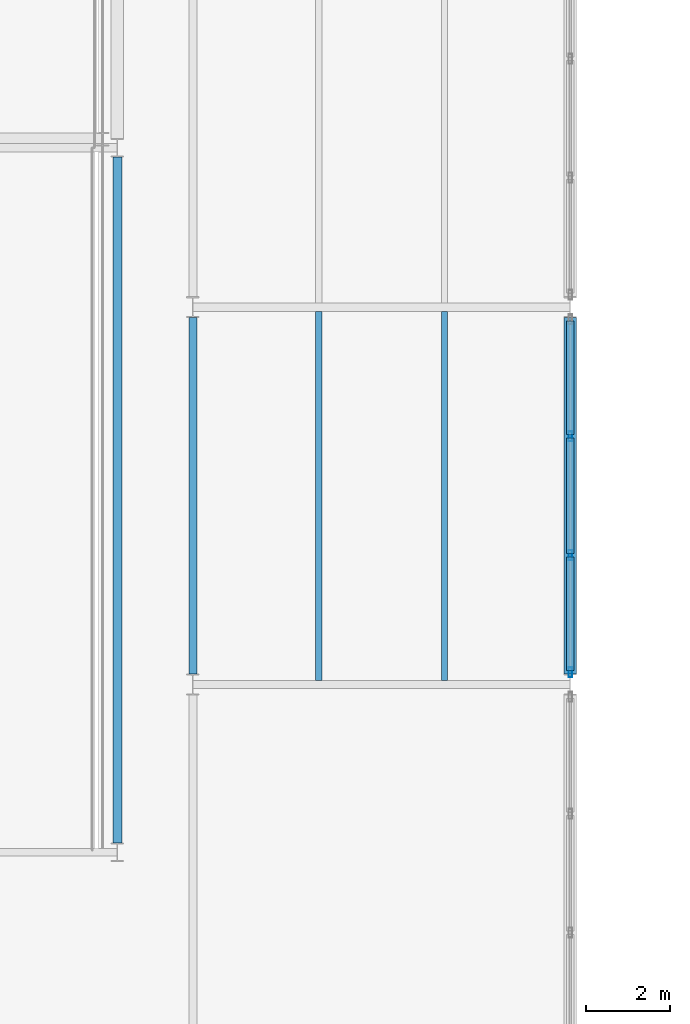
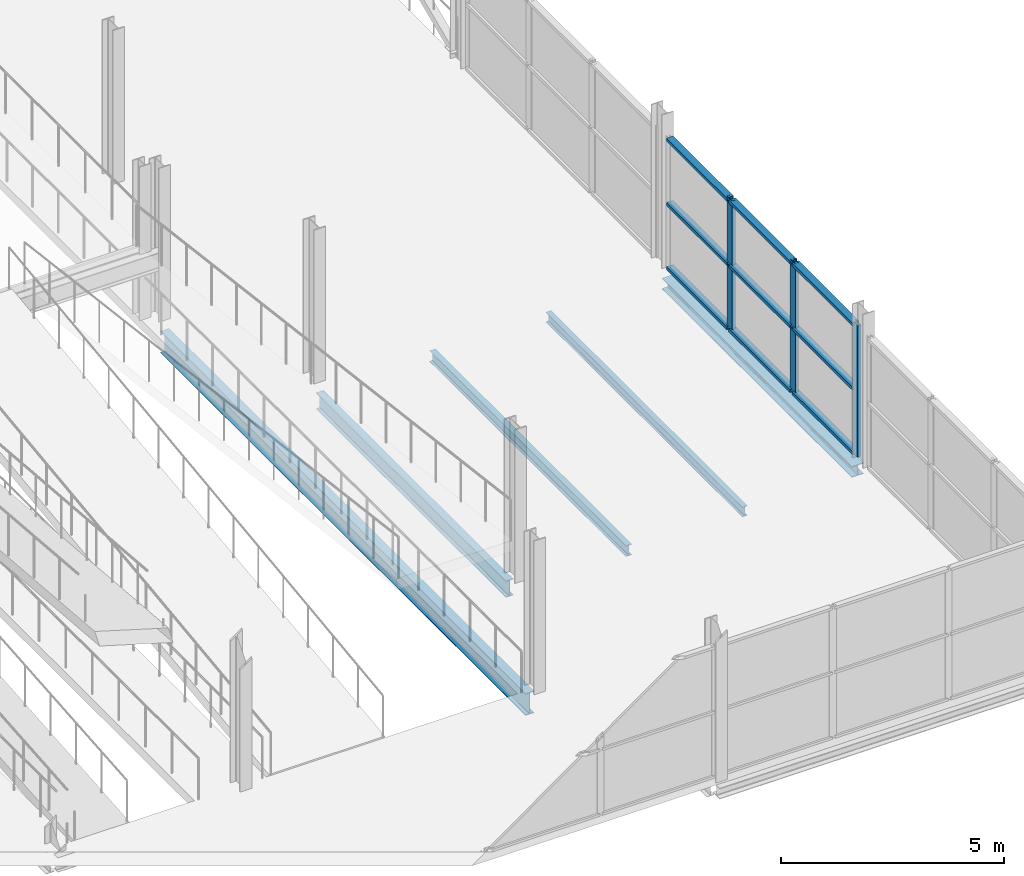
# One storey, part 62 of 132: 12 members, 5 beams, 1 element without a shape of its own.
"""IFC4 building model written with IfcOpenShell, lengths in metres."""

from ifc_helpers import new_model, si_unit, direction, frame, origin, origin_2d, place, context, subcontext, project, spatial, hollow_rectangle, i_section, extrude, material, layer, layer_set, material_profile, profile_set, type_object, element, aggregate, save


model = new_model("IFC4")

# Units and contexts
model_context = context("Model", 3, precision=1e-05, world=origin(), true_north=direction((0.0, 1.0)))
body_context = subcontext(model_context, "Body", "Model", "MODEL_VIEW")
ifc_project = project(units=[si_unit("LENGTHUNIT", "METRE"), si_unit("AREAUNIT", "SQUARE_METRE"), si_unit("VOLUMEUNIT", "CUBIC_METRE"), si_unit("PLANEANGLEUNIT", "RADIAN"), si_unit("MASSUNIT", "GRAM", prefix="KILO")], contexts=[model_context])

# Site, building, storey
site_placement = place(None, origin())
site = spatial("IfcSite", under=ifc_project, at=site_placement, CompositionType="ELEMENT")
building_placement = place(site_placement, origin())
building = spatial("IfcBuilding", under=site, at=building_placement, Name="Deido Ridge Mobility Hub", CompositionType="ELEMENT")
storey_placement = place(building_placement, frame((0.0, 0.0, 8.39990234375)))
storey = spatial("IfcBuildingStorey", under=building, at=storey_placement, Name="L02", CompositionType="ELEMENT", Elevation=8.39990234375)

# Beams
ifc_material_1 = material(Name="Steel S355J2 EN 10025-2", Category="steel")
ifc_material_profile_1 = material_profile(ifc_material_1, i_section(OverallWidth=0.18994140625, OverallDepth=0.449951171875, WebThickness=0.009521484375, FlangeThickness=0.0146484375, FilletRadius=0.02099609375, at=origin_2d()), Name="IPE 450")
ifc_profile_set_1 = profile_set([ifc_material_profile_1], Name="Steel S355J2 EN 10025-2")
beam_type_1 = type_object("IfcBeamType", Name="BM-IPE450", PredefinedType="BEAM", material=ifc_profile_set_1)
beam_1_placement = place(storey_placement, frame((99.0, 54.25, -0.47998046875), z_axis=(0.0, 1.0, 0.0), x_axis=(-1.0, 0.0, 0.0)))
element("IfcBeam", 1, at=beam_1_placement, inside=storey, type_object=beam_type_1, Name="Floor beam B4", PredefinedType="BEAM", context=body_context, shape_type="SweptSolid", body=[
    extrude(i_section(OverallWidth=0.18994140625, OverallDepth=0.449951171875, WebThickness=0.009521484375, FlangeThickness=0.0146484375, FilletRadius=0.02099609375, at=origin_2d()), origin(), (0.0, 0.0, 1.0), 8.5),
])
ifc_material_profile_2 = material_profile(ifc_material_1, i_section(OverallWidth=0.219970703125, OverallDepth=0.60009765625, WebThickness=0.011962890625, FlangeThickness=0.01904296875, FilletRadius=0.02392578125, at=origin_2d()), Name="IPE 600")
ifc_profile_set_2 = profile_set([ifc_material_profile_2], Name="Steel S355J2 EN 10025-2")
beam_type_2 = type_object("IfcBeamType", Name="BM-IPE600", PredefinedType="BEAM", material=ifc_profile_set_2)
beam_2_placement = place(storey_placement, frame((97.199951171875, 50.22509765625, -0.554931640625), z_axis=(0.0, 1.0, 0.0), x_axis=(-1.0, 0.0, 0.0)))
element("IfcBeam", 2, at=beam_2_placement, inside=storey, type_object=beam_type_2, Name="Floor beam B1", PredefinedType="BEAM", context=body_context, shape_type="SweptSolid", body=[
    extrude(i_section(OverallWidth=0.219970703125, OverallDepth=0.60009765625, WebThickness=0.011962890625, FlangeThickness=0.01904296875, FilletRadius=0.02392578125, at=origin_2d()), origin(), (0.0, 0.0, 1.0), 16.349853515625),
])
ifc_material_profile_3 = material_profile(ifc_material_1, i_section(OverallWidth=0.135009765625, OverallDepth=0.27001953125, WebThickness=0.006591796875, FlangeThickness=0.01025390625, FilletRadius=0.014892578125, at=origin_2d()), Name="IPE 270")
ifc_profile_set_3 = profile_set([ifc_material_profile_3], Name="Steel S355J2 EN 10025-2")
beam_type_3 = type_object("IfcBeamType", Name="JST-IPE270", PredefinedType="JOIST", material=ifc_profile_set_3)
beam_3_placement = place(storey_placement, frame((105.0, 54.10009765625, -0.389892578125), z_axis=(0.0, 1.0, 0.0), x_axis=(-1.0, 0.0, 0.0)))
element("IfcBeam", 3, at=beam_3_placement, inside=storey, type_object=beam_type_3, Name="Composite joist J4", PredefinedType="JOIST", context=body_context, shape_type="SweptSolid", body=[
    extrude(i_section(OverallWidth=0.135009765625, OverallDepth=0.27001953125, WebThickness=0.006591796875, FlangeThickness=0.01025390625, FilletRadius=0.014892578125, at=origin_2d()), origin(), (0.0, 0.0, 1.0), 8.7998046875),
])
ifc_material_profile_4 = material_profile(ifc_material_1, i_section(OverallWidth=0.14990234375, OverallDepth=0.300048828125, WebThickness=0.007080078125, FlangeThickness=0.0107421875, FilletRadius=0.014892578125, at=origin_2d()), Name="IPE 300")
ifc_profile_set_4 = profile_set([ifc_material_profile_4], Name="Steel S355J2 EN 10025-2")
beam_type_4 = type_object("IfcBeamType", Name="JST-IPE300", PredefinedType="JOIST", material=ifc_profile_set_4)
beam_4_placement = place(storey_placement, frame((102.0, 54.10009765625, -0.40478515625), z_axis=(0.0, 1.0, 0.0), x_axis=(-1.0, 0.0, 0.0)))
element("IfcBeam", 4, at=beam_4_placement, inside=storey, type_object=beam_type_4, Name="Composite joist J3", PredefinedType="JOIST", context=body_context, shape_type="SweptSolid", body=[
    extrude(i_section(OverallWidth=0.14990234375, OverallDepth=0.300048828125, WebThickness=0.007080078125, FlangeThickness=0.0107421875, FilletRadius=0.014892578125, at=origin_2d()), origin(), (0.0, 0.0, 1.0), 8.7998046875),
])

# Curtain wall, members
ifc_material_2 = material(Name="Anodised aluminium EN AW-6063 T6", Category="aluminium")
ifc_layer = layer(ifc_material_2, 0.239990234375, Name="Anodised aluminium EN AW-6063 T6")
ifc_layer_set = layer_set([ifc_layer], Name="Anodised aluminium EN AW-6063 T6")
curtain_wall_type = type_object("IfcCurtainWallType", Name="CW-UF-6", PredefinedType="USERDEFINED", material=ifc_layer_set)
curtain_wall_placement = place(storey_placement, origin())
curtain_wall = element("IfcCurtainWall", 5, at=curtain_wall_placement, inside=storey, type_object=curtain_wall_type, Name="Unitised curtain wall CW6", ObjectType="UNITISED FACADE", PredefinedType="USERDEFINED")
ifc_material_profile_5 = material_profile(ifc_material_2, hollow_rectangle(XDim=0.0849609375, YDim=0.235107421875, WallThickness=0.00390625, at=origin_2d()), Name="RHS 85x235x4")
ifc_profile_set_5 = profile_set([ifc_material_profile_5], Name="Anodised aluminium EN AW-6063 T6")
member_type_1 = type_object("IfcMemberType", Name="MEM-MUL-85X235", PredefinedType="MULLION", material=ifc_profile_set_5)
member_1_placement = place(storey_placement, frame((108.0, 54.29248046875, 0.0), z_axis=(0.0, 0.0, 1.0), x_axis=(-1.0, 0.0, 0.0)))
member_1 = element("IfcMember", 6, at=member_1_placement, type_object=member_type_1, Name="CW6 mullion 1", PredefinedType="MULLION", context=body_context, shape_type="SweptSolid", body=[
    extrude(hollow_rectangle(XDim=0.0849609375, YDim=0.235107421875, WallThickness=0.00390625, at=origin_2d()), origin(), (0.0, 0.0, 1.0), 3.60009765625),
])
member_2_placement = place(storey_placement, frame((108.0, 57.083251953125, 0.0), z_axis=(0.0, 0.0, 1.0), x_axis=(-1.0, 0.0, 0.0)))
member_2 = element("IfcMember", 7, at=member_2_placement, type_object=member_type_1, Name="CW6 mullion 2", PredefinedType="MULLION", context=body_context, shape_type="SweptSolid", body=[
    extrude(hollow_rectangle(XDim=0.0849609375, YDim=0.235107421875, WallThickness=0.00390625, at=origin_2d()), origin(), (0.0, 0.0, 1.0), 3.60009765625),
])
member_3_placement = place(storey_placement, frame((108.0, 59.916748046875, 0.0), z_axis=(0.0, 0.0, 1.0), x_axis=(-1.0, 0.0, 0.0)))
member_3 = element("IfcMember", 8, at=member_3_placement, type_object=member_type_1, Name="CW6 mullion 3", PredefinedType="MULLION", context=body_context, shape_type="SweptSolid", body=[
    extrude(hollow_rectangle(XDim=0.0849609375, YDim=0.235107421875, WallThickness=0.00390625, at=origin_2d()), origin(), (0.0, 0.0, 1.0), 3.60009765625),
])
ifc_material_profile_6 = material_profile(ifc_material_2, hollow_rectangle(XDim=0.175048828125, YDim=0.0849609375, WallThickness=0.00390625, at=origin_2d()), Name="RHS 175x85x4")
ifc_profile_set_6 = profile_set([ifc_material_profile_6], Name="Anodised aluminium EN AW-6063 T6")
member_type_2 = type_object("IfcMemberType", Name="MEM-TRN-175X85", PredefinedType="USERDEFINED", material=ifc_profile_set_6)
member_4_placement = place(storey_placement, frame((108.0, 54.3349609375, 0.04248046875), z_axis=(0.0, 1.0, 0.0), x_axis=(-1.0, 0.0, 0.0)))
member_4 = element("IfcMember", 9, at=member_4_placement, type_object=member_type_2, Name="CW6 transom 1.1", ObjectType="TRANSOM", PredefinedType="USERDEFINED", context=body_context, shape_type="SweptSolid", body=[
    extrude(hollow_rectangle(XDim=0.175048828125, YDim=0.0849609375, WallThickness=0.00390625, at=origin_2d()), origin(), (0.0, 0.0, 1.0), 2.705810546875),
])
member_5_placement = place(storey_placement, frame((108.0, 54.3349609375, 1.800048828125), z_axis=(0.0, 1.0, 0.0), x_axis=(-1.0, 0.0, 0.0)))
member_5 = element("IfcMember", 10, at=member_5_placement, type_object=member_type_2, Name="CW6 transom 1.2", ObjectType="TRANSOM", PredefinedType="USERDEFINED", context=body_context, shape_type="SweptSolid", body=[
    extrude(hollow_rectangle(XDim=0.175048828125, YDim=0.0849609375, WallThickness=0.00390625, at=origin_2d()), origin(), (0.0, 0.0, 1.0), 2.705810546875),
])
member_6_placement = place(storey_placement, frame((108.0, 54.3349609375, 3.5576171875), z_axis=(0.0, 1.0, 0.0), x_axis=(-1.0, 0.0, 0.0)))
member_6 = element("IfcMember", 11, at=member_6_placement, type_object=member_type_2, Name="CW6 transom 1.3", ObjectType="TRANSOM", PredefinedType="USERDEFINED", context=body_context, shape_type="SweptSolid", body=[
    extrude(hollow_rectangle(XDim=0.175048828125, YDim=0.0849609375, WallThickness=0.00390625, at=origin_2d()), origin(), (0.0, 0.0, 1.0), 2.705810546875),
])
member_7_placement = place(storey_placement, frame((108.0, 57.125732421875, 0.04248046875), z_axis=(0.0, 1.0, 0.0), x_axis=(-1.0, 0.0, 0.0)))
member_7 = element("IfcMember", 12, at=member_7_placement, type_object=member_type_2, Name="CW6 transom 2.1", ObjectType="TRANSOM", PredefinedType="USERDEFINED", context=body_context, shape_type="SweptSolid", body=[
    extrude(hollow_rectangle(XDim=0.175048828125, YDim=0.0849609375, WallThickness=0.00390625, at=origin_2d()), origin(), (0.0, 0.0, 1.0), 2.74853515625),
])
member_8_placement = place(storey_placement, frame((108.0, 57.125732421875, 1.800048828125), z_axis=(0.0, 1.0, 0.0), x_axis=(-1.0, 0.0, 0.0)))
member_8 = element("IfcMember", 13, at=member_8_placement, type_object=member_type_2, Name="CW6 transom 2.2", ObjectType="TRANSOM", PredefinedType="USERDEFINED", context=body_context, shape_type="SweptSolid", body=[
    extrude(hollow_rectangle(XDim=0.175048828125, YDim=0.0849609375, WallThickness=0.00390625, at=origin_2d()), origin(), (0.0, 0.0, 1.0), 2.74853515625),
])
member_9_placement = place(storey_placement, frame((108.0, 57.125732421875, 3.5576171875), z_axis=(0.0, 1.0, 0.0), x_axis=(-1.0, 0.0, 0.0)))
member_9 = element("IfcMember", 14, at=member_9_placement, type_object=member_type_2, Name="CW6 transom 2.3", ObjectType="TRANSOM", PredefinedType="USERDEFINED", context=body_context, shape_type="SweptSolid", body=[
    extrude(hollow_rectangle(XDim=0.175048828125, YDim=0.0849609375, WallThickness=0.00390625, at=origin_2d()), origin(), (0.0, 0.0, 1.0), 2.74853515625),
])
member_10_placement = place(storey_placement, frame((108.0, 59.959228515625, 0.04248046875), z_axis=(0.0, 1.0, 0.0), x_axis=(-1.0, 0.0, 0.0)))
member_10 = element("IfcMember", 15, at=member_10_placement, type_object=member_type_2, Name="CW6 transom 3.1", ObjectType="TRANSOM", PredefinedType="USERDEFINED", context=body_context, shape_type="SweptSolid", body=[
    extrude(hollow_rectangle(XDim=0.175048828125, YDim=0.0849609375, WallThickness=0.00390625, at=origin_2d()), origin(), (0.0, 0.0, 1.0), 2.705810546875),
])
member_11_placement = place(storey_placement, frame((108.0, 59.959228515625, 1.800048828125), z_axis=(0.0, 1.0, 0.0), x_axis=(-1.0, 0.0, 0.0)))
member_11 = element("IfcMember", 16, at=member_11_placement, type_object=member_type_2, Name="CW6 transom 3.2", ObjectType="TRANSOM", PredefinedType="USERDEFINED", context=body_context, shape_type="SweptSolid", body=[
    extrude(hollow_rectangle(XDim=0.175048828125, YDim=0.0849609375, WallThickness=0.00390625, at=origin_2d()), origin(), (0.0, 0.0, 1.0), 2.705810546875),
])
member_12_placement = place(storey_placement, frame((108.0, 59.959228515625, 3.5576171875), z_axis=(0.0, 1.0, 0.0), x_axis=(-1.0, 0.0, 0.0)))
member_12 = element("IfcMember", 17, at=member_12_placement, type_object=member_type_2, Name="CW6 transom 3.3", ObjectType="TRANSOM", PredefinedType="USERDEFINED", context=body_context, shape_type="SweptSolid", body=[
    extrude(hollow_rectangle(XDim=0.175048828125, YDim=0.0849609375, WallThickness=0.00390625, at=origin_2d()), origin(), (0.0, 0.0, 1.0), 2.705810546875),
])
aggregate(curtain_wall, [member_1, member_2, member_3, member_4, member_5, member_6, member_7, member_8, member_9, member_10, member_11, member_12])

# Beam
ifc_material_profile_7 = material_profile(ifc_material_1, i_section(OverallWidth=0.300048828125, OverallDepth=0.300048828125, WebThickness=0.010986328125, FlangeThickness=0.01904296875, FilletRadius=0.027099609375, at=origin_2d()), Name="HEB 300")
ifc_profile_set_7 = profile_set([ifc_material_profile_7], Name="Steel S355J2 EN 10025-2")
beam_type_5 = type_object("IfcBeamType", Name="SPD-HEB300", PredefinedType="SPANDREL", material=ifc_profile_set_7)
beam_5_placement = place(storey_placement, frame((108.0, 54.25, -0.40478515625), z_axis=(0.0, 1.0, 0.0), x_axis=(-1.0, 0.0, 0.0)))
element("IfcBeam", 18, at=beam_5_placement, inside=storey, type_object=beam_type_5, Name="Floor beam SP1", PredefinedType="SPANDREL", context=body_context, shape_type="SweptSolid", body=[
    extrude(i_section(OverallWidth=0.300048828125, OverallDepth=0.300048828125, WebThickness=0.010986328125, FlangeThickness=0.01904296875, FilletRadius=0.027099609375, at=origin_2d()), origin(), (0.0, 0.0, 1.0), 8.5),
])

save(model, "model.ifc")
